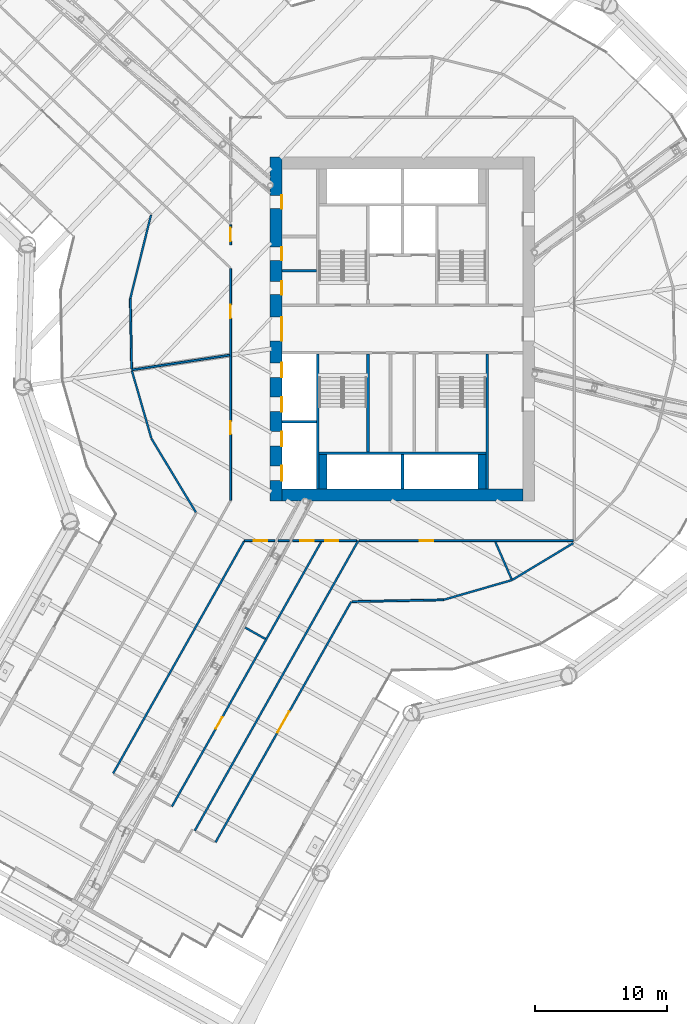
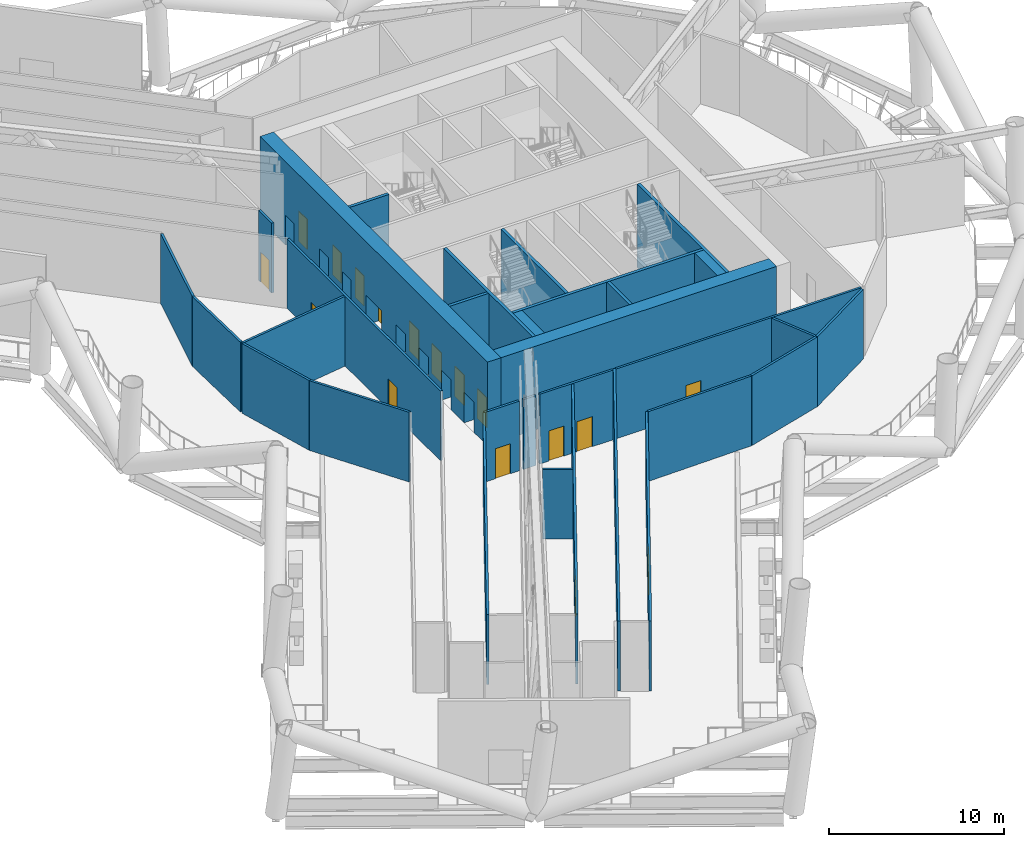
# One storey, part 14 of 39: 31 walls, 17 doors, 17 openings.
"""IFC4 building model written with IfcOpenShell, lengths in metres."""

from ifc_helpers import new_model, si_unit, direction, frame, frame_2d, origin, place, context, subcontext, project, spatial, rectangle, extrude, material, layer, layer_set, type_object, element, fill, save


model = new_model("IFC4")

# Units and contexts
model_context = context("Model", 3, precision=1e-05, world=origin(), true_north=direction((0.0, 1.0)))
body_context = subcontext(model_context, "Body", "Model", "MODEL_VIEW")
ifc_project = project(units=[si_unit("LENGTHUNIT", "METRE"), si_unit("AREAUNIT", "SQUARE_METRE"), si_unit("VOLUMEUNIT", "CUBIC_METRE"), si_unit("PLANEANGLEUNIT", "RADIAN"), si_unit("MASSUNIT", "GRAM", prefix="KILO")], contexts=[model_context])

# Site, building, storey
site_placement = place(None, origin())
site = spatial("IfcSite", under=ifc_project, at=site_placement, CompositionType="ELEMENT")
building_placement = place(site_placement, origin())
building = spatial("IfcBuilding", under=site, at=building_placement, Name="Tarsis Ring Headquarters", CompositionType="ELEMENT")
storey_placement = place(building_placement, frame((0.0, 0.0, 86.800048828125)))
storey = spatial("IfcBuildingStorey", under=building, at=storey_placement, Name="L19", CompositionType="ELEMENT", Elevation=86.800048828125)

# Wall
ifc_material_1 = material(Name="Blockwork", Category="masonry")
ifc_layer_1 = layer(ifc_material_1, 0.199951171875)
ifc_layer_set_1 = layer_set([ifc_layer_1], Name="Core blockwork wall 200")
wall_type_1 = type_object("IfcWallType", Name="Core blockwork wall 200", PredefinedType="PARTITIONING", material=ifc_layer_set_1)
wall_1_placement = place(storey_placement, frame((-9.10009765625, 4.39990234375, 0.0), z_axis=(0.0, 0.0, 1.0), x_axis=(1.0, 0.0, 0.0)))
element("IfcWall", 1, at=wall_1_placement, inside=storey, type_object=wall_type_1, Name="Core partition WD5", PredefinedType="PARTITIONING", context=body_context, shape_type="SweptSolid", body=[
    extrude(rectangle(XDim=2.60009765625, YDim=0.199951171875, at=frame_2d((1.300048828125, 0.0))), origin(), (0.0, 0.0, 1.0), 5.83984375),
])

# Wall, openings, doors
ifc_material_2 = material(Name="Concrete C60/75", Category="concrete")
ifc_layer_2 = layer(ifc_material_2, 0.89990234375)
ifc_layer_set_2 = layer_set([ifc_layer_2], Name="Core wall 900 C60/75")
wall_type_2 = type_object("IfcWallType", Name="Core wall 900 C60/75", PredefinedType="SHEAR", material=ifc_layer_set_2)
wall_2_placement = place(storey_placement, frame((-9.550048828125, -13.0, 0.0), z_axis=(0.0, 0.0, 1.0), x_axis=(0.0, 1.0, 0.0)))
wall_2 = element("IfcWall", 2, at=wall_2_placement, inside=storey, type_object=wall_type_2, Name="Core wall OW", PredefinedType="SHEAR", context=body_context, shape_type="SweptSolid", body=[
    extrude(rectangle(XDim=26.0, YDim=0.89990234375, at=frame_2d((13.0, 0.0))), origin(), (0.0, 0.0, 1.0), 5.83984375),
])
opening_1_placement = place(wall_2_placement, frame((1.550048828125, 0.0, 0.0)))
opening_1 = element("IfcOpeningElement", 3, at=opening_1_placement, cuts=wall_2, Name="Opening LD-LR1", PredefinedType="OPENING", context=body_context, shape_type="SweptSolid", body=[
    extrude(rectangle(XDim=1.10009765625, YDim=2.10009765625, at=frame_2d((0.550048828125, 1.050048828125))), frame((0.0, 0.4599609375, 0.0), z_axis=(0.0, -1.0, 0.0), x_axis=(1.0, 0.0, 0.0)), (0.0, 0.0, 1.0), 0.919921875),
])
opening_2_placement = place(wall_2_placement, frame((4.14990234375, 0.0, 0.0)))
opening_2 = element("IfcOpeningElement", 4, at=opening_2_placement, cuts=wall_2, Name="Opening LD-LR2", PredefinedType="OPENING", context=body_context, shape_type="SweptSolid", body=[
    extrude(rectangle(XDim=1.10009765625, YDim=2.10009765625, at=frame_2d((0.550048828125, 1.050048828125))), frame((0.0, 0.4599609375, 0.0), z_axis=(0.0, -1.0, 0.0), x_axis=(1.0, 0.0, 0.0)), (0.0, 0.0, 1.0), 0.919921875),
])
opening_3_placement = place(wall_2_placement, frame((6.75, 0.0, 0.0)))
opening_3 = element("IfcOpeningElement", 5, at=opening_3_placement, cuts=wall_2, Name="Opening LD-LR3", PredefinedType="OPENING", context=body_context, shape_type="SweptSolid", body=[
    extrude(rectangle(XDim=1.10009765625, YDim=2.10009765625, at=frame_2d((0.550048828125, 1.050048828125))), frame((0.0, 0.4599609375, 0.0), z_axis=(0.0, -1.0, 0.0), x_axis=(1.0, 0.0, 0.0)), (0.0, 0.0, 1.0), 0.919921875),
])
opening_4_placement = place(wall_2_placement, frame((9.35009765625, 0.0, 0.0)))
opening_4 = element("IfcOpeningElement", 6, at=opening_4_placement, cuts=wall_2, Name="Opening LD-LR4", PredefinedType="OPENING", context=body_context, shape_type="SweptSolid", body=[
    extrude(rectangle(XDim=1.10009765625, YDim=2.10009765625, at=frame_2d((0.550048828125, 1.050048828125))), frame((0.0, 0.4599609375, 0.0), z_axis=(0.0, -1.0, 0.0), x_axis=(1.0, 0.0, 0.0)), (0.0, 0.0, 1.0), 0.919921875),
])
opening_5_placement = place(wall_2_placement, frame((12.10009765625, 0.0, 0.0)))
opening_5 = element("IfcOpeningElement", 7, at=opening_5_placement, cuts=wall_2, Name="Opening L19-C05", PredefinedType="OPENING", context=body_context, shape_type="SweptSolid", body=[
    extrude(rectangle(XDim=1.800048828125, YDim=2.10009765625, at=frame_2d((0.89990234375, 1.050048828125))), frame((0.0, 0.4599609375, 0.0), z_axis=(0.0, -1.0, 0.0), x_axis=(1.0, 0.0, 0.0)), (0.0, 0.0, 1.0), 0.919921875),
])
opening_6_placement = place(wall_2_placement, frame((15.60009765625, 0.0, 0.0)))
opening_6 = element("IfcOpeningElement", 8, at=opening_6_placement, cuts=wall_2, Name="Opening L19-C06", PredefinedType="OPENING", context=body_context, shape_type="SweptSolid", body=[
    extrude(rectangle(XDim=1.0, YDim=2.10009765625, at=frame_2d((0.5, 1.050048828125))), frame((0.0, 0.4599609375, 0.0), z_axis=(0.0, -1.0, 0.0), x_axis=(1.0, 0.0, 0.0)), (0.0, 0.0, 1.0), 0.919921875),
])
opening_7_placement = place(wall_2_placement, frame((18.199951171875, 0.0, 0.0)))
opening_7 = element("IfcOpeningElement", 9, at=opening_7_placement, cuts=wall_2, Name="Opening L19-C07", PredefinedType="OPENING", context=body_context, shape_type="SweptSolid", body=[
    extrude(rectangle(XDim=1.0, YDim=2.10009765625, at=frame_2d((0.5, 1.050048828125))), frame((0.0, 0.4599609375, 0.0), z_axis=(0.0, -1.0, 0.0), x_axis=(1.0, 0.0, 0.0)), (0.0, 0.0, 1.0), 0.919921875),
])
opening_8_placement = place(wall_2_placement, frame((22.10009765625, 0.0, 0.0)))
opening_8 = element("IfcOpeningElement", 10, at=opening_8_placement, cuts=wall_2, Name="Opening L19-C08", PredefinedType="OPENING", context=body_context, shape_type="SweptSolid", body=[
    extrude(rectangle(XDim=1.0, YDim=2.10009765625, at=frame_2d((0.5, 1.050048828125))), frame((0.0, 0.4599609375, 0.0), z_axis=(0.0, -1.0, 0.0), x_axis=(1.0, 0.0, 0.0)), (0.0, 0.0, 1.0), 0.919921875),
])
ifc_material_3 = material(Name="Steel S355", Category="steel")
door_type_1 = type_object("IfcDoorType", Name="Core entry door 1800x2100", OperationType="DOUBLE_DOOR_SINGLE_SWING", PredefinedType="DOOR", material=ifc_material_3)
door_1_placement = place(opening_5_placement, origin())
door_1 = element("IfcDoor", 11, at=door_1_placement, inside=storey, type_object=door_type_1, Name="Core entry door L19", OperationType="DOUBLE_DOOR_SINGLE_SWING", OverallHeight=2.10009765625, OverallWidth=1.800048828125, PredefinedType="DOOR", context=body_context, shape_type="SweptSolid", body=[
    extrude(rectangle(XDim=1.800048828125, YDim=2.10009765625, at=frame_2d((0.89990234375, 1.050048828125))), frame((0.0, -0.39990234375, 0.0), z_axis=(0.0, -1.0, 0.0), x_axis=(1.0, 0.0, 0.0)), (0.0, 0.0, 1.0), 0.050048828125),
])
fill(opening_5, door_1)
door_type_2 = type_object("IfcDoorType", Name="Core room door 1000x2100", OperationType="SINGLE_SWING_LEFT", PredefinedType="DOOR", material=ifc_material_3)
door_2_placement = place(opening_6_placement, origin())
door_2 = element("IfcDoor", 12, at=door_2_placement, inside=storey, type_object=door_type_2, Name="Core room door L19", OperationType="SINGLE_SWING_LEFT", OverallHeight=2.10009765625, OverallWidth=1.0, PredefinedType="DOOR", context=body_context, shape_type="SweptSolid", body=[
    extrude(rectangle(XDim=1.0, YDim=2.10009765625, at=frame_2d((0.5, 1.050048828125))), frame((0.0, -0.39990234375, 0.0), z_axis=(0.0, -1.0, 0.0), x_axis=(1.0, 0.0, 0.0)), (0.0, 0.0, 1.0), 0.050048828125),
])
fill(opening_6, door_2)
door_3_placement = place(opening_7_placement, origin())
door_3 = element("IfcDoor", 13, at=door_3_placement, inside=storey, type_object=door_type_2, Name="Core room door L19", OperationType="SINGLE_SWING_LEFT", OverallHeight=2.10009765625, OverallWidth=1.0, PredefinedType="DOOR", context=body_context, shape_type="SweptSolid", body=[
    extrude(rectangle(XDim=1.0, YDim=2.10009765625, at=frame_2d((0.5, 1.050048828125))), frame((0.0, -0.39990234375, 0.0), z_axis=(0.0, -1.0, 0.0), x_axis=(1.0, 0.0, 0.0)), (0.0, 0.0, 1.0), 0.050048828125),
])
fill(opening_7, door_3)
door_4_placement = place(opening_8_placement, origin())
door_4 = element("IfcDoor", 14, at=door_4_placement, inside=storey, type_object=door_type_2, Name="Core room door L19", OperationType="SINGLE_SWING_LEFT", OverallHeight=2.10009765625, OverallWidth=1.0, PredefinedType="DOOR", context=body_context, shape_type="SweptSolid", body=[
    extrude(rectangle(XDim=1.0, YDim=2.10009765625, at=frame_2d((0.5, 1.050048828125))), frame((0.0, -0.39990234375, 0.0), z_axis=(0.0, -1.0, 0.0), x_axis=(1.0, 0.0, 0.0)), (0.0, 0.0, 1.0), 0.050048828125),
])
fill(opening_8, door_4)
door_type_3 = type_object("IfcDoorType", Name="Landing door 1100x2100", OperationType="SLIDING_TO_LEFT", PredefinedType="DOOR", material=ifc_material_3)
door_5_placement = place(opening_1_placement, origin())
door_5 = element("IfcDoor", 15, at=door_5_placement, inside=storey, type_object=door_type_3, Name="Landing door LR1 L19", OperationType="SLIDING_TO_LEFT", OverallHeight=2.10009765625, OverallWidth=1.10009765625, PredefinedType="DOOR", context=body_context, shape_type="SweptSolid", body=[
    extrude(rectangle(XDim=1.10009765625, YDim=2.10009765625, at=frame_2d((0.550048828125, 1.050048828125))), frame((0.0, -0.39990234375, 0.0), z_axis=(0.0, -1.0, 0.0), x_axis=(1.0, 0.0, 0.0)), (0.0, 0.0, 1.0), 0.050048828125),
])
fill(opening_1, door_5)
door_6_placement = place(opening_2_placement, origin())
door_6 = element("IfcDoor", 16, at=door_6_placement, inside=storey, type_object=door_type_3, Name="Landing door LR2 L19", OperationType="SLIDING_TO_LEFT", OverallHeight=2.10009765625, OverallWidth=1.10009765625, PredefinedType="DOOR", context=body_context, shape_type="SweptSolid", body=[
    extrude(rectangle(XDim=1.10009765625, YDim=2.10009765625, at=frame_2d((0.550048828125, 1.050048828125))), frame((0.0, -0.39990234375, 0.0), z_axis=(0.0, -1.0, 0.0), x_axis=(1.0, 0.0, 0.0)), (0.0, 0.0, 1.0), 0.050048828125),
])
fill(opening_2, door_6)
door_7_placement = place(opening_3_placement, origin())
door_7 = element("IfcDoor", 17, at=door_7_placement, inside=storey, type_object=door_type_3, Name="Landing door LR3 L19", OperationType="SLIDING_TO_LEFT", OverallHeight=2.10009765625, OverallWidth=1.10009765625, PredefinedType="DOOR", context=body_context, shape_type="SweptSolid", body=[
    extrude(rectangle(XDim=1.10009765625, YDim=2.10009765625, at=frame_2d((0.550048828125, 1.050048828125))), frame((0.0, -0.39990234375, 0.0), z_axis=(0.0, -1.0, 0.0), x_axis=(1.0, 0.0, 0.0)), (0.0, 0.0, 1.0), 0.050048828125),
])
fill(opening_3, door_7)
door_8_placement = place(opening_4_placement, origin())
door_8 = element("IfcDoor", 18, at=door_8_placement, inside=storey, type_object=door_type_3, Name="Landing door LR4 L19", OperationType="SLIDING_TO_LEFT", OverallHeight=2.10009765625, OverallWidth=1.10009765625, PredefinedType="DOOR", context=body_context, shape_type="SweptSolid", body=[
    extrude(rectangle(XDim=1.10009765625, YDim=2.10009765625, at=frame_2d((0.550048828125, 1.050048828125))), frame((0.0, -0.39990234375, 0.0), z_axis=(0.0, -1.0, 0.0), x_axis=(1.0, 0.0, 0.0)), (0.0, 0.0, 1.0), 0.050048828125),
])
fill(opening_4, door_8)

# Walls
wall_3_placement = place(storey_placement, frame((-9.10009765625, -12.550048828125, 0.0), z_axis=(0.0, 0.0, 1.0), x_axis=(1.0, 0.0, 0.0)))
element("IfcWall", 19, at=wall_3_placement, inside=storey, type_object=wall_type_2, Name="Core wall OS", PredefinedType="SHEAR", context=body_context, shape_type="SweptSolid", body=[
    extrude(rectangle(XDim=18.2001953125, YDim=0.89990234375, at=frame_2d((9.10009765625, 0.0))), origin(), (0.0, 0.0, 1.0), 5.83984375),
])
ifc_material_4 = material(Name="Gypsum board on steel studs", Category="steel")
ifc_layer_3 = layer(ifc_material_4, 0.14990234375)
ifc_layer_set_3 = layer_set([ifc_layer_3], Name="FL partition 150 EI 120 H4870")
wall_type_3 = type_object("IfcWallType", Name="FL partition 150 EI 120 H4870", PredefinedType="PARTITIONING", material=ifc_layer_set_3)
wall_4_placement = place(storey_placement, frame((-15.705078125, -37.926513671875, 0.0), z_axis=(0.0, 0.0, 1.0), x_axis=(0.49120629385, 0.871043269236, 0.0)))
element("IfcWall", 20, at=wall_4_placement, inside=storey, type_object=wall_type_3, Name="Partition PW2H487", PredefinedType="PARTITIONING", context=body_context, shape_type="SweptSolid", body=[
    extrude(rectangle(XDim=25.172607421875, YDim=0.14990234375, at=frame_2d((12.58642578125, 0.0))), origin(), (0.0, 0.0, 1.0), 4.869873046875),
])

# Wall, opening, door
wall_5_placement = place(storey_placement, frame((-11.950439453125, -16.0, 0.0), z_axis=(0.0, 0.0, 1.0), x_axis=(1.0, 0.0, 0.0)))
wall_5 = element("IfcWall", 21, at=wall_5_placement, inside=storey, type_object=wall_type_3, Name="Partition PW2H487", PredefinedType="PARTITIONING", context=body_context, shape_type="SweptSolid", body=[
    extrude(rectangle(XDim=2.294921875, YDim=0.14990234375, at=frame_2d((1.1474609375, 0.0))), origin(), (0.0, 0.0, 1.0), 4.869873046875),
])
opening_9_placement = place(wall_5_placement, frame((0.711669921875, 0.0, 0.0)))
opening_9 = element("IfcOpeningElement", 22, at=opening_9_placement, cuts=wall_5, Name="Opening D19.09", PredefinedType="OPENING", context=body_context, shape_type="SweptSolid", body=[
    extrude(rectangle(XDim=1.0, YDim=2.10009765625, at=frame_2d((0.5, 1.050048828125))), frame((0.0, 0.0849609375, 0.0), z_axis=(0.0, -1.0, 0.0), x_axis=(1.0, 0.0, 0.0)), (0.0, 0.0, 1.0), 0.169921875),
])
ifc_material_5 = material(Name="Fire-rated timber door leaf in steel frame", Category="steel")
door_type_4 = type_object("IfcDoorType", Name="FL door FD120-1000", OperationType="NOTDEFINED", PredefinedType="DOOR", material=ifc_material_5)
door_9_placement = place(opening_9_placement, origin())
door_9 = element("IfcDoor", 23, at=door_9_placement, inside=storey, type_object=door_type_4, Name="Door D19.09", OperationType="SINGLE_SWING_RIGHT", OverallHeight=2.10009765625, OverallWidth=1.0, PredefinedType="DOOR", context=body_context, shape_type="SweptSolid", body=[
    extrude(rectangle(XDim=1.0, YDim=2.10009765625, at=frame_2d((0.5, 1.050048828125))), frame((0.0, 0.02490234375, 0.0), z_axis=(0.0, -1.0, 0.0), x_axis=(1.0, 0.0, 0.0)), (0.0, 0.0, 1.0), 0.050048828125),
])
fill(opening_9, door_9)

# Wall
wall_6_placement = place(storey_placement, frame((-9.39892578125, -16.0, 0.0), z_axis=(0.0, 0.0, 1.0), x_axis=(1.0, 0.0, 0.0)))
element("IfcWall", 24, at=wall_6_placement, inside=storey, type_object=wall_type_3, Name="Partition PW2H487", PredefinedType="PARTITIONING", context=body_context, shape_type="SweptSolid", body=[
    extrude(rectangle(XDim=0.841796875, YDim=0.14990234375, at=frame_2d((0.4208984375, 0.0))), origin(), (0.0, 0.0, 1.0), 4.869873046875),
])

# Wall, openings, doors
wall_7_placement = place(storey_placement, frame((-8.305419921875, -16.0, 0.0), z_axis=(0.0, 0.0, 1.0), x_axis=(1.0, 0.0, 0.0)))
wall_7 = element("IfcWall", 25, at=wall_7_placement, inside=storey, type_object=wall_type_3, Name="Partition PW2H487", PredefinedType="PARTITIONING", context=body_context, shape_type="SweptSolid", body=[
    extrude(rectangle(XDim=4.8369140625, YDim=0.14990234375, at=frame_2d((2.41845703125, 0.0))), origin(), (0.0, 0.0, 1.0), 4.869873046875),
])
opening_10_placement = place(wall_7_placement, frame((0.59130859375, 0.0, 0.0)))
opening_10 = element("IfcOpeningElement", 26, at=opening_10_placement, cuts=wall_7, Name="Opening D19.08", PredefinedType="OPENING", context=body_context, shape_type="SweptSolid", body=[
    extrude(rectangle(XDim=1.0, YDim=2.10009765625, at=frame_2d((0.5, 1.050048828125))), frame((0.0, 0.0849609375, 0.0), z_axis=(0.0, -1.0, 0.0), x_axis=(1.0, 0.0, 0.0)), (0.0, 0.0, 1.0), 0.169921875),
])
opening_11_placement = place(wall_7_placement, frame((2.46044921875, 0.0, 0.0)))
opening_11 = element("IfcOpeningElement", 27, at=opening_11_placement, cuts=wall_7, Name="Opening D19.14", PredefinedType="OPENING", context=body_context, shape_type="SweptSolid", body=[
    extrude(rectangle(XDim=1.0, YDim=2.10009765625, at=frame_2d((0.5, 1.050048828125))), frame((0.0, 0.0849609375, 0.0), z_axis=(0.0, -1.0, 0.0), x_axis=(1.0, 0.0, 0.0)), (0.0, 0.0, 1.0), 0.169921875),
])
door_10_placement = place(opening_10_placement, origin())
door_10 = element("IfcDoor", 28, at=door_10_placement, inside=storey, type_object=door_type_4, Name="Door D19.08", OperationType="SINGLE_SWING_LEFT", OverallHeight=2.10009765625, OverallWidth=1.0, PredefinedType="DOOR", context=body_context, shape_type="SweptSolid", body=[
    extrude(rectangle(XDim=1.0, YDim=2.10009765625, at=frame_2d((0.5, 1.050048828125))), frame((0.0, 0.02490234375, 0.0), z_axis=(0.0, -1.0, 0.0), x_axis=(1.0, 0.0, 0.0)), (0.0, 0.0, 1.0), 0.050048828125),
])
fill(opening_10, door_10)
door_11_placement = place(opening_11_placement, origin())
door_11 = element("IfcDoor", 29, at=door_11_placement, inside=storey, type_object=door_type_4, Name="Door D19.14", OperationType="SINGLE_SWING_LEFT", OverallHeight=2.10009765625, OverallWidth=1.0, PredefinedType="DOOR", context=body_context, shape_type="SweptSolid", body=[
    extrude(rectangle(XDim=1.0, YDim=2.10009765625, at=frame_2d((0.5, 1.050048828125))), frame((0.0, 0.02490234375, 0.0), z_axis=(0.0, -1.0, 0.0), x_axis=(1.0, 0.0, 0.0)), (0.0, 0.0, 1.0), 0.050048828125),
])
fill(opening_11, door_11)

# Wall, opening, door
wall_8_placement = place(storey_placement, frame((-3.274658203125, -16.0, 0.0), z_axis=(0.0, 0.0, 1.0), x_axis=(1.0, 0.0, 0.0)))
wall_8 = element("IfcWall", 30, at=wall_8_placement, inside=storey, type_object=wall_type_3, Name="Partition PW2H487", PredefinedType="PARTITIONING", context=body_context, shape_type="SweptSolid", body=[
    extrude(rectangle(XDim=16.193603515625, YDim=0.14990234375, at=frame_2d((8.0966796875, 0.0))), origin(), (0.0, 0.0, 1.0), 4.869873046875),
])
opening_12_placement = place(wall_8_placement, frame((4.596435546875, 0.0, 0.0)))
opening_12 = element("IfcOpeningElement", 31, at=opening_12_placement, cuts=wall_8, Name="Opening D19.11", PredefinedType="OPENING", context=body_context, shape_type="SweptSolid", body=[
    extrude(rectangle(XDim=1.0, YDim=2.10009765625, at=frame_2d((0.5, 1.050048828125))), frame((0.0, 0.0849609375, 0.0), z_axis=(0.0, -1.0, 0.0), x_axis=(1.0, 0.0, 0.0)), (0.0, 0.0, 1.0), 0.169921875),
])
door_12_placement = place(opening_12_placement, origin())
door_12 = element("IfcDoor", 32, at=door_12_placement, inside=storey, type_object=door_type_4, Name="Door D19.11", OperationType="SINGLE_SWING_RIGHT", OverallHeight=2.10009765625, OverallWidth=1.0, PredefinedType="DOOR", context=body_context, shape_type="SweptSolid", body=[
    extrude(rectangle(XDim=1.0, YDim=2.10009765625, at=frame_2d((0.5, 1.050048828125))), frame((0.0, 0.02490234375, 0.0), z_axis=(0.0, -1.0, 0.0), x_axis=(1.0, 0.0, 0.0)), (0.0, 0.0, 1.0), 0.050048828125),
])
fill(opening_12, door_12)

wall_9_placement = place(storey_placement, frame((-17.43212890625, -36.10302734375, 0.0), z_axis=(0.0, 0.0, 1.0), x_axis=(0.491209076482, 0.871041700025, 0.0)))
wall_9 = element("IfcWall", 33, at=wall_9_placement, inside=storey, type_object=wall_type_3, Name="Partition PW2H487", PredefinedType="PARTITIONING", context=body_context, shape_type="SweptSolid", body=[
    extrude(rectangle(XDim=22.959228515625, YDim=0.14990234375, at=frame_2d((11.4794921875, 0.0))), origin(), (0.0, 0.0, 1.0), 4.869873046875),
])
opening_13_placement = place(wall_9_placement, frame((6.75390625, 0.0, 0.0)))
opening_13 = element("IfcOpeningElement", 34, at=opening_13_placement, cuts=wall_9, Name="Opening D19.07", PredefinedType="OPENING", context=body_context, shape_type="SweptSolid", body=[
    extrude(rectangle(XDim=1.0, YDim=2.10009765625, at=frame_2d((0.5, 1.050048828125))), frame((0.0, 0.0849609375, 0.0), z_axis=(0.0, -1.0, 0.0), x_axis=(1.0, 0.0, 0.0)), (0.0, 0.0, 1.0), 0.169921875),
])
door_13_placement = place(opening_13_placement, origin())
door_13 = element("IfcDoor", 35, at=door_13_placement, inside=storey, type_object=door_type_4, Name="Door D19.07", OperationType="SINGLE_SWING_RIGHT", OverallHeight=2.10009765625, OverallWidth=1.0, PredefinedType="DOOR", context=body_context, shape_type="SweptSolid", body=[
    extrude(rectangle(XDim=1.0, YDim=2.10009765625, at=frame_2d((0.5, 1.050048828125))), frame((0.0, 0.02490234375, 0.0), z_axis=(0.0, -1.0, 0.0), x_axis=(1.0, 0.0, 0.0)), (0.0, 0.0, 1.0), 0.050048828125),
])
fill(opening_13, door_13)

wall_10_placement = place(storey_placement, frame((-14.13720703125, -38.810546875, 0.0), z_axis=(0.0, 0.0, 1.0), x_axis=(0.491207582843, 0.871042542335, 0.0)))
wall_10 = element("IfcWall", 36, at=wall_10_placement, inside=storey, type_object=wall_type_3, Name="Partition PW2H487", PredefinedType="PARTITIONING", context=body_context, shape_type="SweptSolid", body=[
    extrude(rectangle(XDim=20.901611328125, YDim=0.14990234375, at=frame_2d((10.45068359375, 0.0))), origin(), (0.0, 0.0, 1.0), 4.869873046875),
])
opening_14_placement = place(wall_10_placement, frame((9.55078125, 0.0, 0.0)))
opening_14 = element("IfcOpeningElement", 37, at=opening_14_placement, cuts=wall_10, Name="Opening D19.18", PredefinedType="OPENING", context=body_context, shape_type="SweptSolid", body=[
    extrude(rectangle(XDim=1.800048828125, YDim=2.10009765625, at=frame_2d((0.89990234375, 1.050048828125))), frame((0.0, 0.0849609375, 0.0), z_axis=(0.0, -1.0, 0.0), x_axis=(1.0, 0.0, 0.0)), (0.0, 0.0, 1.0), 0.169921875),
])
door_type_5 = type_object("IfcDoorType", Name="FL door FD120-1800", OperationType="DOUBLE_DOOR_SINGLE_SWING", PredefinedType="DOOR", material=ifc_material_5)
door_14_placement = place(opening_14_placement, origin())
door_14 = element("IfcDoor", 38, at=door_14_placement, inside=storey, type_object=door_type_5, Name="Door D19.18", OperationType="DOUBLE_DOOR_SINGLE_SWING", OverallHeight=2.10009765625, OverallWidth=1.800048828125, PredefinedType="DOOR", context=body_context, shape_type="SweptSolid", body=[
    extrude(rectangle(XDim=1.800048828125, YDim=2.10009765625, at=frame_2d((0.89990234375, 1.050048828125))), frame((0.0, 0.02490234375, 0.0), z_axis=(0.0, -1.0, 0.0), x_axis=(1.0, 0.0, 0.0)), (0.0, 0.0, 1.0), 0.050048828125),
])
fill(opening_14, door_14)

# Wall
wall_11_placement = place(storey_placement, frame((-21.87451171875, -33.597900390625, 0.0), z_axis=(0.0, 0.0, 1.0), x_axis=(0.491207549055, 0.871042561389, 0.0)))
element("IfcWall", 39, at=wall_11_placement, inside=storey, type_object=wall_type_3, Name="Partition PW2H487", PredefinedType="PARTITIONING", context=body_context, shape_type="SweptSolid", body=[
    extrude(rectangle(XDim=20.143310546875, YDim=0.14990234375, at=frame_2d((10.07177734375, 0.0))), origin(), (0.0, 0.0, 1.0), 4.869873046875),
])

# Wall, openings, doors
wall_12_placement = place(storey_placement, frame((-13.0, -12.9453125, 0.0), z_axis=(0.0, 0.0, 1.0), x_axis=(0.0, 1.0, 0.0)))
wall_12 = element("IfcWall", 40, at=wall_12_placement, inside=storey, type_object=wall_type_3, Name="Partition PW2H487", PredefinedType="PARTITIONING", context=body_context, shape_type="SweptSolid", body=[
    extrude(rectangle(XDim=17.514892578125, YDim=0.14990234375, at=frame_2d((8.75732421875, 0.0))), origin(), (0.0, 0.0, 1.0), 4.869873046875),
])
opening_15_placement = place(wall_12_placement, frame((4.976806640625, 0.0, 0.0)))
opening_15 = element("IfcOpeningElement", 41, at=opening_15_placement, cuts=wall_12, Name="Opening D19.05", PredefinedType="OPENING", context=body_context, shape_type="SweptSolid", body=[
    extrude(rectangle(XDim=1.0, YDim=2.10009765625, at=frame_2d((0.5, 1.050048828125))), frame((0.0, 0.0849609375, 0.0), z_axis=(0.0, -1.0, 0.0), x_axis=(1.0, 0.0, 0.0)), (0.0, 0.0, 1.0), 0.169921875),
])
opening_16_placement = place(wall_12_placement, frame((13.7744140625, 0.0, 0.0)))
opening_16 = element("IfcOpeningElement", 42, at=opening_16_placement, cuts=wall_12, Name="Opening D19.06", PredefinedType="OPENING", context=body_context, shape_type="SweptSolid", body=[
    extrude(rectangle(XDim=1.0, YDim=2.10009765625, at=frame_2d((0.5, 1.050048828125))), frame((0.0, 0.0849609375, 0.0), z_axis=(0.0, -1.0, 0.0), x_axis=(1.0, 0.0, 0.0)), (0.0, 0.0, 1.0), 0.169921875),
])
door_15_placement = place(opening_15_placement, origin())
door_15 = element("IfcDoor", 43, at=door_15_placement, inside=storey, type_object=door_type_4, Name="Door D19.05", OperationType="SINGLE_SWING_RIGHT", OverallHeight=2.10009765625, OverallWidth=1.0, PredefinedType="DOOR", context=body_context, shape_type="SweptSolid", body=[
    extrude(rectangle(XDim=1.0, YDim=2.10009765625, at=frame_2d((0.5, 1.050048828125))), frame((0.0, 0.02490234375, 0.0), z_axis=(0.0, -1.0, 0.0), x_axis=(1.0, 0.0, 0.0)), (0.0, 0.0, 1.0), 0.050048828125),
])
fill(opening_15, door_15)
door_16_placement = place(opening_16_placement, origin())
door_16 = element("IfcDoor", 44, at=door_16_placement, inside=storey, type_object=door_type_4, Name="Door D19.06", OperationType="SINGLE_SWING_LEFT", OverallHeight=2.10009765625, OverallWidth=1.0, PredefinedType="DOOR", context=body_context, shape_type="SweptSolid", body=[
    extrude(rectangle(XDim=1.0, YDim=2.10009765625, at=frame_2d((0.5, 1.050048828125))), frame((0.0, 0.02490234375, 0.0), z_axis=(0.0, -1.0, 0.0), x_axis=(1.0, 0.0, 0.0)), (0.0, 0.0, 1.0), 0.050048828125),
])
fill(opening_16, door_16)

# Wall, opening, door
wall_13_placement = place(storey_placement, frame((-13.0, 6.36279296875, 0.0), z_axis=(0.0, 0.0, 1.0), x_axis=(0.0, 1.0, 0.0)))
wall_13 = element("IfcWall", 45, at=wall_13_placement, inside=storey, type_object=wall_type_3, Name="Partition PW2H487", PredefinedType="PARTITIONING", context=body_context, shape_type="SweptSolid", body=[
    extrude(rectangle(XDim=1.506591796875, YDim=0.14990234375, at=frame_2d((0.75341796875, 0.0))), origin(), (0.0, 0.0, 1.0), 4.869873046875),
])
opening_17_placement = place(wall_13_placement, frame((0.280517578125, 0.0, 0.0)))
opening_17 = element("IfcOpeningElement", 46, at=opening_17_placement, cuts=wall_13, Name="Opening D19.16", PredefinedType="OPENING", context=body_context, shape_type="SweptSolid", body=[
    extrude(rectangle(XDim=1.0, YDim=2.10009765625, at=frame_2d((0.5, 1.050048828125))), frame((0.0, 0.0849609375, 0.0), z_axis=(0.0, -1.0, 0.0), x_axis=(1.0, 0.0, 0.0)), (0.0, 0.0, 1.0), 0.169921875),
])
door_17_placement = place(opening_17_placement, origin())
door_17 = element("IfcDoor", 47, at=door_17_placement, inside=storey, type_object=door_type_4, Name="Door D19.16", OperationType="SINGLE_SWING_LEFT", OverallHeight=2.10009765625, OverallWidth=1.0, PredefinedType="DOOR", context=body_context, shape_type="SweptSolid", body=[
    extrude(rectangle(XDim=1.0, YDim=2.10009765625, at=frame_2d((0.5, 1.050048828125))), frame((0.0, 0.02490234375, 0.0), z_axis=(0.0, -1.0, 0.0), x_axis=(1.0, 0.0, 0.0)), (0.0, 0.0, 1.0), 0.050048828125),
])
fill(opening_17, door_17)

# Walls
wall_14_placement = place(storey_placement, frame((-20.472900390625, -3.0888671875, 0.0), z_axis=(0.0, 0.0, 1.0), x_axis=(0.988810266565, 0.149178606833, 0.0)))
element("IfcWall", 48, at=wall_14_placement, inside=storey, type_object=wall_type_3, Name="Partition PW2H487", PredefinedType="PARTITIONING", context=body_context, shape_type="SweptSolid", body=[
    extrude(rectangle(XDim=7.4775390625, YDim=0.14990234375, at=frame_2d((3.73876953125, 0.0))), origin(), (0.0, 0.0, 1.0), 4.869873046875),
])
wall_15_placement = place(storey_placement, frame((-3.809814453125, -20.60546875, 0.0), z_axis=(0.0, 0.0, 1.0), x_axis=(0.999822161528, 0.018858560836, 0.0)))
element("IfcWall", 49, at=wall_15_placement, inside=storey, type_object=wall_type_3, Name="Partition PW2H487", PredefinedType="PARTITIONING", context=body_context, shape_type="SweptSolid", body=[
    extrude(rectangle(XDim=6.900146484375, YDim=0.14990234375, at=frame_2d((3.4501953125, 0.0))), origin(), (0.0, 0.0, 1.0), 4.869873046875),
])
for number, where, z_axis, x_axis, name in (
    (50, (-20.5771484375, 2.315673828125, 0.0), (0.0, 0.0, 1.0), (0.240573464267, 0.9706309331, 0.0), "Partition PW2H487"),
    (51, (-18.97802734375, -8.28369140625, 0.0), (0.0, 0.0, 1.0), (0.516217784266, -0.856457353992, 0.0), "Partition PW2H487"),
):
    element("IfcWall", number, at=place(storey_placement, frame(where, z_axis=z_axis, x_axis=x_axis)), inside=storey, type_object=wall_type_3, Name=name, PredefinedType="PARTITIONING", context=body_context, shape_type="SweptSolid", body=[
        extrude(rectangle(XDim=6.5009765625, YDim=0.14990234375, at=frame_2d((3.25048828125, 0.0))), origin(), (0.0, 0.0, 1.0), 4.869873046875),
    ])
wall_16_placement = place(storey_placement, frame((-20.5771484375, 2.304931640625, 0.0), z_axis=(0.0, 0.0, 1.0), x_axis=(0.018879295578, -0.999821770216, 0.0)))
element("IfcWall", 52, at=wall_16_placement, inside=storey, type_object=wall_type_3, Name="Partition PW2H487", PredefinedType="PARTITIONING", context=body_context, shape_type="SweptSolid", body=[
    extrude(rectangle(XDim=5.31494140625, YDim=0.14990234375, at=frame_2d((2.657470703125, 0.0))), origin(), (0.0, 0.0, 1.0), 4.869873046875),
])
wall_17_placement = place(storey_placement, frame((8.28369140625, -18.97802734375, 0.0), z_axis=(0.0, 0.0, 1.0), x_axis=(0.856446961646, 0.516235025824, 0.0)))
element("IfcWall", 53, at=wall_17_placement, inside=storey, type_object=wall_type_3, Name="Partition PW2H487", PredefinedType="PARTITIONING", context=body_context, shape_type="SweptSolid", body=[
    extrude(rectangle(XDim=5.405029296875, YDim=0.14990234375, at=frame_2d((2.70263671875, 0.0))), origin(), (0.0, 0.0, 1.0), 4.869873046875),
])
wall_18_placement = place(storey_placement, frame((-20.453125, -3.16650390625, 0.0), z_axis=(0.0, 0.0, 1.0), x_axis=(0.276989389602, -0.960872977062, 0.0)))
element("IfcWall", 54, at=wall_18_placement, inside=storey, type_object=wall_type_3, Name="Partition PW2H487", PredefinedType="PARTITIONING", context=body_context, shape_type="SweptSolid", body=[
    extrude(rectangle(XDim=5.31494140625, YDim=0.14990234375, at=frame_2d((2.657470703125, 0.0))), origin(), (0.0, 0.0, 1.0), 4.869873046875),
])
wall_19_placement = place(storey_placement, frame((3.09912109375, -20.472412109375, 0.0), z_axis=(0.0, 0.0, 1.0), x_axis=(0.96087975941, 0.276965860632, 0.0)))
element("IfcWall", 55, at=wall_19_placement, inside=storey, type_object=wall_type_3, Name="Partition PW2H487", PredefinedType="PARTITIONING", context=body_context, shape_type="SweptSolid", body=[
    extrude(rectangle(XDim=5.385009765625, YDim=0.14990234375, at=frame_2d((2.6923828125, 0.0))), origin(), (0.0, 0.0, 1.0), 4.869873046875),
])
wall_20_placement = place(storey_placement, frame((7.027587890625, -16.100830078125, 0.0), z_axis=(0.0, 0.0, 1.0), x_axis=(0.400031058758, -0.916501583211, 0.0)))
element("IfcWall", 56, at=wall_20_placement, inside=storey, type_object=wall_type_3, Name="Partition PW2H487", PredefinedType="PARTITIONING", context=body_context, shape_type="SweptSolid", body=[
    extrude(rectangle(XDim=3.05712890625, YDim=0.14990234375, at=frame_2d((1.528564453125, 0.0))), origin(), (0.0, 0.0, 1.0), 4.869873046875),
])
wall_21_placement = place(storey_placement, frame((-11.895751953125, -22.56689453125, 0.0), z_axis=(0.0, 0.0, 1.0), x_axis=(0.871067406472, -0.491163489464, 0.0)))
element("IfcWall", 57, at=wall_21_placement, inside=storey, type_object=wall_type_3, Name="Partition PW2H487", PredefinedType="PARTITIONING", context=body_context, shape_type="SweptSolid", body=[
    extrude(rectangle(XDim=1.74658203125, YDim=0.14990234375, at=frame_2d((0.873291015625, 0.0))), origin(), (0.0, 0.0, 1.0), 4.869873046875),
])
ifc_material_6 = material(Name="Concrete C32/40", Category="concrete")
ifc_layer_4 = layer(ifc_material_6, 0.60009765625)
ifc_layer_set_4 = layer_set([ifc_layer_4], Name="Shaft end wall 600 C32/40")
wall_type_4 = type_object("IfcWallType", Name="Shaft end wall 600 C32/40", PredefinedType="SOLIDWALL", material=ifc_layer_set_4)
for number, where, z_axis, x_axis, name in (
    (58, (-6.0, -12.10009765625, 0.0), (0.0, 0.0, 1.0), (0.0, 1.0, 0.0), "Core shaft wall SNE1"),
    (59, (6.0, -12.10009765625, 0.0), (0.0, 0.0, 1.0), (0.0, 1.0, 0.0), "Core shaft wall SNE2"),
):
    element("IfcWall", number, at=place(storey_placement, frame(where, z_axis=z_axis, x_axis=x_axis)), inside=storey, type_object=wall_type_4, Name=name, PredefinedType="SOLIDWALL", context=body_context, shape_type="SweptSolid", body=[
        extrude(rectangle(XDim=2.60009765625, YDim=0.60009765625, at=frame_2d((1.300048828125, 0.0))), origin(), (0.0, 0.0, 1.0), 5.83984375),
    ])
ifc_layer_5 = layer(ifc_material_6, 0.199951171875)
ifc_layer_set_5 = layer_set([ifc_layer_5], Name="Shaft wall 200 C32/40")
wall_type_5 = type_object("IfcWallType", Name="Shaft wall 200 C32/40", PredefinedType="SOLIDWALL", material=ifc_layer_set_5)
for number, where, z_axis, x_axis, name in (
    (60, (-6.39990234375, -12.10009765625, 0.0), (0.0, 0.0, 1.0), (0.0, 1.0, 0.0), "Core shaft wall WB1"),
    (61, (6.39990234375, -12.10009765625, 0.0), (0.0, 0.0, 1.0), (0.0, 1.0, 0.0), "Core shaft wall EB1"),
):
    element("IfcWall", number, at=place(storey_placement, frame(where, z_axis=z_axis, x_axis=x_axis)), inside=storey, type_object=wall_type_5, Name=name, PredefinedType="SOLIDWALL", context=body_context, shape_type="SweptSolid", body=[
        extrude(rectangle(XDim=10.2001953125, YDim=0.199951171875, at=frame_2d((5.10009765625, 0.0))), origin(), (0.0, 0.0, 1.0), 5.83984375),
    ])
wall_22_placement = place(storey_placement, frame((-6.300048828125, -9.39990234375, 0.0), z_axis=(0.0, 0.0, 1.0), x_axis=(1.0, 0.0, 0.0)))
element("IfcWall", 62, at=wall_22_placement, inside=storey, type_object=wall_type_5, Name="Core shaft wall SB", PredefinedType="SOLIDWALL", context=body_context, shape_type="SweptSolid", body=[
    extrude(rectangle(XDim=12.60009765625, YDim=0.199951171875, at=frame_2d((6.300048828125, 0.0))), origin(), (0.0, 0.0, 1.0), 5.83984375),
])
wall_23_placement = place(storey_placement, frame((-2.60009765625, -9.300048828125, 0.0), z_axis=(0.0, 0.0, 1.0), x_axis=(0.0, 1.0, 0.0)))
element("IfcWall", 63, at=wall_23_placement, inside=storey, type_object=wall_type_5, Name="Core shaft wall SW3", PredefinedType="SOLIDWALL", context=body_context, shape_type="SweptSolid", body=[
    extrude(rectangle(XDim=7.400146484375, YDim=0.199951171875, at=frame_2d((3.7001953125, 0.0))), origin(), (0.0, 0.0, 1.0), 5.83984375),
])
for number, where, z_axis, x_axis, name in (
    (64, (-9.10009765625, -7.0, 0.0), (0.0, 0.0, 1.0), (1.0, 0.0, 0.0), "Core shaft wall WD2"),
    (65, (0.0, -12.10009765625, 0.0), (0.0, 0.0, 1.0), (0.0, 1.0, 0.0), "Core shaft wall SD2"),
):
    element("IfcWall", number, at=place(storey_placement, frame(where, z_axis=z_axis, x_axis=x_axis)), inside=storey, type_object=wall_type_5, Name=name, PredefinedType="SOLIDWALL", context=body_context, shape_type="SweptSolid", body=[
        extrude(rectangle(XDim=2.60009765625, YDim=0.199951171875, at=frame_2d((1.300048828125, 0.0))), origin(), (0.0, 0.0, 1.0), 5.83984375),
    ])

save(model, "model.ifc")
